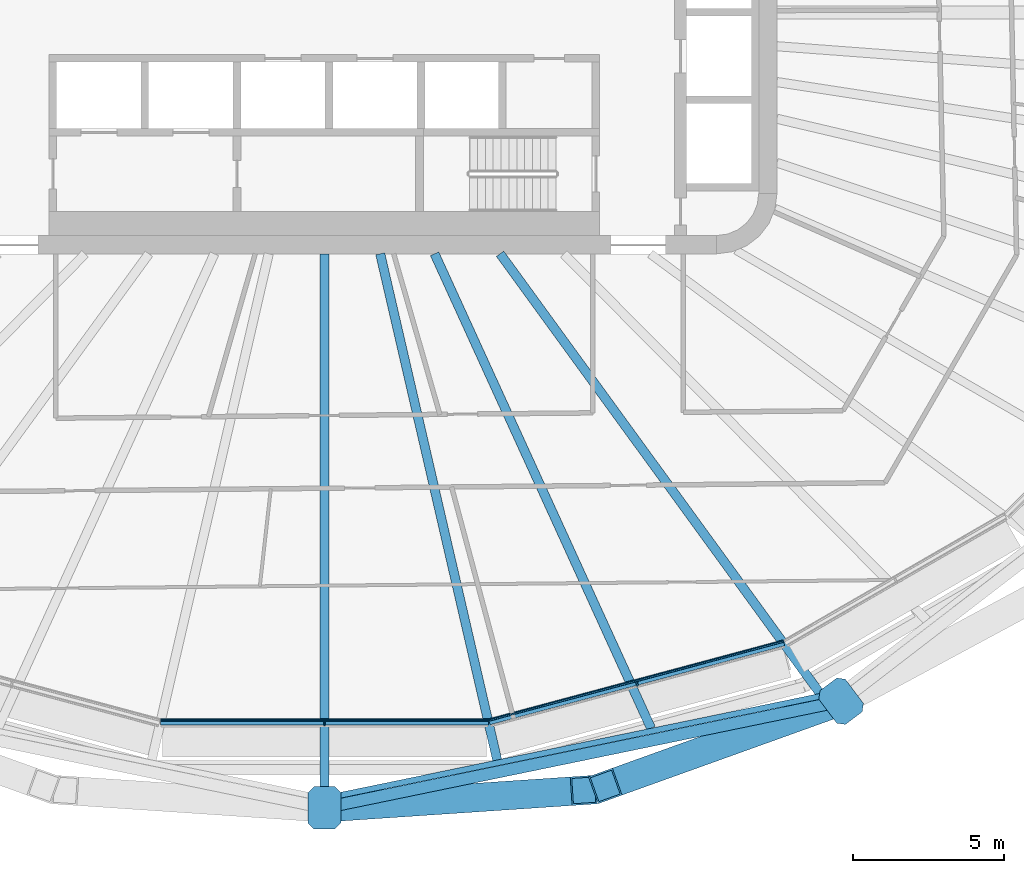
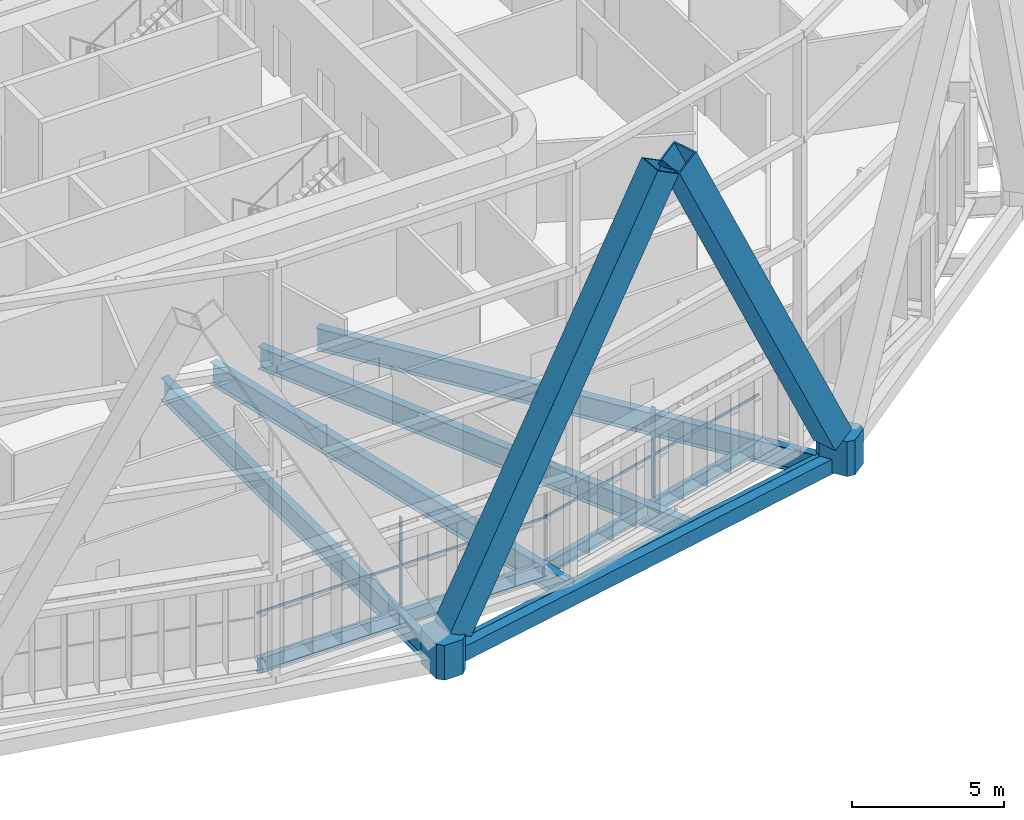
# One storey, part 4 of 25: 8 beams, 8 members, 2 elements without a shape of their own.
"""IFC4 building model written with IfcOpenShell, lengths in metres."""

from ifc_helpers import new_model, si_unit, direction, frame, origin, origin_2d, place, context, subcontext, project, spatial, polyline, rectangle, hollow_rectangle, i_section, outline, extrude, material, layer, layer_set, material_profile, profile_set, type_object, element, aggregate, save


model = new_model("IFC4")

# Units and contexts
model_context = context("Model", 3, precision=1e-05, world=origin(), true_north=direction((0.0, 1.0)))
body_context = subcontext(model_context, "Body", "Model", "MODEL_VIEW")
ifc_project = project(units=[si_unit("LENGTHUNIT", "METRE"), si_unit("AREAUNIT", "SQUARE_METRE"), si_unit("VOLUMEUNIT", "CUBIC_METRE"), si_unit("PLANEANGLEUNIT", "RADIAN"), si_unit("MASSUNIT", "GRAM", prefix="KILO")], contexts=[model_context])

# Site, building, storey
site_placement = place(None, origin())
site = spatial("IfcSite", under=ifc_project, at=site_placement, CompositionType="ELEMENT")
building_placement = place(site_placement, origin())
building = spatial("IfcBuilding", under=site, at=building_placement, Name="Sahrelin Media Tower", CompositionType="ELEMENT")
storey_placement = place(building_placement, frame((0.0, 0.0, 79.800048828125)))
storey = spatial("IfcBuildingStorey", under=building, at=storey_placement, Name="L14", CompositionType="ELEMENT", Elevation=79.800048828125)

# Members
ifc_material_1 = material(Name="Steel S460", Category="steel")
ifc_material_profile_1 = material_profile(ifc_material_1, hollow_rectangle(XDim=0.949951171875, YDim=0.949951171875, WallThickness=0.054931640625, at=origin_2d()), Name="Diagrid diagonal DG2")
ifc_profile_set_1 = profile_set([ifc_material_profile_1], Name="Steel S460")
member_type_1 = type_object("IfcMemberType", Name="Diagrid diagonal DG2", PredefinedType="BRACE", material=ifc_profile_set_1)
member_1_placement = place(storey_placement, frame((0.373779296875, -26.339111328125, 0.699951171875), z_axis=(0.470683324445, 0.031647275081, 0.881734460067), x_axis=(-0.067085404611, 0.997747236773, 0.0)))
element("IfcMember", 1, at=member_1_placement, inside=storey, type_object=member_type_1, Name="Diagrid diagonal D02-18", PredefinedType="BRACE", context=body_context, shape_type="SweptSolid", body=[
    extrude(hollow_rectangle(XDim=0.949951171875, YDim=0.949951171875, WallThickness=0.054931640625, at=origin_2d()), origin(), (0.0, 0.0, 1.0), 17.465576171875),
])
member_2_placement = place(storey_placement, frame((16.786376953125, -22.9541015625, 0.699951171875), z_axis=(-0.431548900161, -0.154946779536, 0.888682756827), x_axis=(0.337926169392, -0.941172621808, 0.0)))
element("IfcMember", 2, at=member_2_placement, inside=storey, type_object=member_type_1, Name="Diagrid diagonal D02-19", PredefinedType="BRACE", context=body_context, shape_type="SweptSolid", body=[
    extrude(hollow_rectangle(XDim=0.949951171875, YDim=0.949951171875, WallThickness=0.054931640625, at=origin_2d()), origin(), (0.0, 0.0, 1.0), 17.328857421875),
])
ifc_material_profile_2 = material_profile(ifc_material_1, outline(polyline([(0.5, -0.550048828125), (0.699951171875, -0.35009765625), (0.699951171875, 0.35009765625), (0.5, 0.550048828125), (-0.5, 0.550048828125), (-0.699951171875, 0.35009765625), (-0.699951171875, -0.35009765625), (-0.5, -0.550048828125), (0.5, -0.550048828125)])), Name="Diagrid node block 1400")
ifc_profile_set_2 = profile_set([ifc_material_profile_2], Name="Steel S460")
member_type_2 = type_object("IfcMemberType", Name="Diagrid node block 1400", PredefinedType="USERDEFINED", material=ifc_profile_set_2)
for number, where, z_axis, x_axis, name in (
    (3, (0.0, -26.364013671875, -0.699951171875), (0.0, 0.0, 1.0), (0.0, -1.0, 0.0), "Diagrid node N02-09"),
    (4, (17.126220703125, -22.83203125, -0.699951171875), (0.0, 0.0, 1.0), (0.600051693363, -0.799961227368, 0.0), "Diagrid node N02-10"),
):
    element("IfcMember", number, at=place(storey_placement, frame(where, z_axis=z_axis, x_axis=x_axis)), inside=storey, type_object=member_type_2, Name=name, ObjectType="NODE", PredefinedType="USERDEFINED", context=body_context, shape_type="SweptSolid", body=[
        extrude(outline(polyline([(0.5, -0.550048828125), (0.699951171875, -0.35009765625), (0.699951171875, 0.35009765625), (0.5, 0.550048828125), (-0.5, 0.550048828125), (-0.699951171875, 0.35009765625), (-0.699951171875, -0.35009765625), (-0.5, -0.550048828125), (0.5, -0.550048828125)])), origin(), (0.0, 0.0, 1.0), 1.39990234375),
    ])

# Beams
ifc_material_profile_3 = material_profile(ifc_material_1, hollow_rectangle(XDim=0.39990234375, YDim=0.60009765625, WallThickness=0.030029296875, at=origin_2d()), Name="Diagrid ring beam RB1")
ifc_profile_set_3 = profile_set([ifc_material_profile_3], Name="Steel S460")
beam_type_1 = type_object("IfcBeamType", Name="Diagrid ring beam RB1", PredefinedType="BEAM", material=ifc_profile_set_3)
beam_1_placement = place(storey_placement, frame((0.0, -26.364013671875, -0.449951171875), z_axis=(0.979389265781, 0.2019818459, 0.0), x_axis=(-0.2019818459, 0.979389265781, 0.0)))
element("IfcBeam", 5, at=beam_1_placement, inside=storey, type_object=beam_type_1, Name="Diagrid ring beam RB02-09", PredefinedType="BEAM", context=body_context, shape_type="SweptSolid", body=[
    extrude(hollow_rectangle(XDim=0.39990234375, YDim=0.60009765625, WallThickness=0.030029296875, at=origin_2d()), origin(), (0.0, 0.0, 1.0), 17.486572265625),
])
ifc_material_2 = material(Name="Steel S355", Category="steel")
ifc_material_profile_4 = material_profile(ifc_material_2, i_section(OverallWidth=0.208740234375, OverallDepth=0.5283203125, WebThickness=0.009521484375, FlangeThickness=0.01318359375, FilletRadius=0.0126953125, at=origin_2d()), Name="UB 533x210x82")
ifc_profile_set_4 = profile_set([ifc_material_profile_4], Name="Steel S355")
beam_type_2 = type_object("IfcBeamType", Name="Edge beam EB6", PredefinedType="BEAM", material=ifc_profile_set_4)
beam_2_placement = place(storey_placement, frame((15.23095703125, -20.892578125, -0.414306640625), z_axis=(-0.965927364405, -0.258813304707, 0.0), x_axis=(0.258813304707, -0.965927364405, 0.0)))
element("IfcBeam", 6, at=beam_2_placement, inside=storey, type_object=beam_type_2, Name="Edge beam L14-06", PredefinedType="BEAM", context=body_context, shape_type="SweptSolid", body=[
    extrude(i_section(OverallWidth=0.208740234375, OverallDepth=0.5283203125, WebThickness=0.009521484375, FlangeThickness=0.01318359375, FilletRadius=0.0126953125, at=origin_2d()), origin(), (0.0, 0.0, 1.0), 10.1142578125),
])
ifc_material_profile_5 = material_profile(ifc_material_2, i_section(OverallWidth=0.2275390625, OverallDepth=0.6025390625, WebThickness=0.010498046875, FlangeThickness=0.014892578125, FilletRadius=0.0126953125, at=origin_2d()), Name="UB 610x229x101")
ifc_profile_set_5 = profile_set([ifc_material_profile_5], Name="Steel S355")
beam_type_3 = type_object("IfcBeamType", Name="Edge beam EB7", PredefinedType="BEAM", material=ifc_profile_set_5)
beam_3_placement = place(storey_placement, frame((5.432861328125, -23.51416015625, -0.451416015625), z_axis=(-1.0, 0.0, 0.0), x_axis=(0.0, -1.0, 0.0)))
element("IfcBeam", 7, at=beam_3_placement, inside=storey, type_object=beam_type_3, Name="Edge beam L14-07", PredefinedType="BEAM", context=body_context, shape_type="SweptSolid", body=[
    extrude(i_section(OverallWidth=0.2275390625, OverallDepth=0.6025390625, WebThickness=0.010498046875, FlangeThickness=0.014892578125, FilletRadius=0.0126953125, at=origin_2d()), origin(), (0.0, 0.0, 1.0), 10.86572265625),
])

# Curtain wall, member
ifc_material_3 = material(Name="Champagne anodised aluminium 6063-T6", Category="aluminium")
ifc_layer = layer(ifc_material_3, 0.14990234375)
ifc_layer_set = layer_set([ifc_layer], Name="Tower ribbon curtain wall")
curtain_wall_type = type_object("IfcCurtainWallType", Name="Tower ribbon curtain wall", PredefinedType="NOTDEFINED", material=ifc_layer_set)
curtain_wall_1_placement = place(storey_placement, frame((0.0, -23.6640625, 0.0), z_axis=(0.0, 0.0, 1.0), x_axis=(1.0, 0.0, 0.0)))
curtain_wall_1 = element("IfcCurtainWall", 8, at=curtain_wall_1_placement, inside=storey, type_object=curtain_wall_type, Name="L14:CW:L14-18", PredefinedType="NOTDEFINED")
ifc_material_profile_6 = material_profile(ifc_material_3, rectangle(XDim=0.06005859375, YDim=0.14990234375, at=origin_2d()), Name="Mullion 60x150")
ifc_profile_set_6 = profile_set([ifc_material_profile_6], Name="Champagne anodised aluminium 6063-T6")
member_type_3 = type_object("IfcMemberType", Name="Mullion 60x150 CW1", PredefinedType="MULLION", material=ifc_profile_set_6)
member_3_placement = place(storey_placement, frame((0.0, -23.569091796875, 0.0), z_axis=(0.0, 0.0, 1.0), x_axis=(1.0, 0.0, 0.0)))
member_3 = element("IfcMember", 9, at=member_3_placement, type_object=member_type_3, Name="L14:CWM:L14-18", PredefinedType="MULLION", context=body_context, shape_type="SweptSolid", body=[
    extrude(rectangle(XDim=0.06005859375, YDim=0.14990234375, at=origin_2d()), origin(), (0.0, 0.0, 1.0), 3.6484375),
])

curtain_wall_2_placement = place(storey_placement, frame((10.385009765625, -22.346435546875, 0.0), z_axis=(0.0, 0.0, 1.0), x_axis=(1.0, 0.0, 0.0)))
curtain_wall_2 = element("IfcCurtainWall", 10, at=curtain_wall_2_placement, inside=storey, type_object=curtain_wall_type, Name="L14:CW:L14-19", PredefinedType="NOTDEFINED")
member_4_placement = place(storey_placement, frame((10.360595703125, -22.254638671875, 0.0), z_axis=(0.0, 0.0, 1.0), x_axis=(0.965924922834, 0.258822416818, 0.0)))
member_4 = element("IfcMember", 11, at=member_4_placement, type_object=member_type_3, Name="L14:CWM:L14-19", PredefinedType="MULLION", context=body_context, shape_type="SweptSolid", body=[
    extrude(rectangle(XDim=0.06005859375, YDim=0.14990234375, at=origin_2d()), origin(), (0.0, 0.0, 1.0), 3.6484375),
])

# Beams
ifc_material_profile_7 = material_profile(ifc_material_2, i_section(OverallWidth=0.30322265625, OverallDepth=0.903076171875, WebThickness=0.01513671875, FlangeThickness=0.020263671875, FilletRadius=0.01904296875, at=origin_2d()), Name="UB 914x305x201")
ifc_profile_set_7 = profile_set([ifc_material_profile_7], Name="Steel S355")
beam_type_4 = type_object("IfcBeamType", Name="Radial primary beam PB11", PredefinedType="BEAM", material=ifc_profile_set_7)
beam_4_placement = place(storey_placement, frame((1.848388671875, -8.0, -0.6015625), z_axis=(0.225091418357, -0.97433764855, 0.0), x_axis=(0.97433764855, 0.225091418357, 0.0)))
element("IfcBeam", 12, at=beam_4_placement, inside=storey, type_object=beam_type_4, Name="Radial beam L14-19", PredefinedType="BEAM", context=body_context, shape_type="SweptSolid", body=[
    extrude(i_section(OverallWidth=0.30322265625, OverallDepth=0.903076171875, WebThickness=0.01513671875, FlangeThickness=0.020263671875, FilletRadius=0.01904296875, at=origin_2d()), origin(), (0.0, 0.0, 1.0), 17.2216796875),
])
beam_5_placement = place(storey_placement, frame((5.82177734375, -8.0, -0.6015625), z_axis=(0.588409281168, -0.808563242941, 0.0), x_axis=(0.808563242941, 0.588409281168, 0.0)))
element("IfcBeam", 13, at=beam_5_placement, inside=storey, type_object=beam_type_4, Name="Radial beam L14-20", PredefinedType="BEAM", context=body_context, shape_type="SweptSolid", body=[
    extrude(i_section(OverallWidth=0.30322265625, OverallDepth=0.903076171875, WebThickness=0.01513671875, FlangeThickness=0.020263671875, FilletRadius=0.01904296875, at=origin_2d()), origin(), (0.0, 0.0, 1.0), 18.022705078125),
])
ifc_material_profile_8 = material_profile(ifc_material_2, i_section(OverallWidth=0.30322265625, OverallDepth=0.903076171875, WebThickness=0.01513671875, FlangeThickness=0.020263671875, FilletRadius=0.01904296875, at=origin_2d()), Name="UB 914x305x201")
ifc_profile_set_8 = profile_set([ifc_material_profile_8], Name="Steel S355")
beam_type_5 = type_object("IfcBeamType", Name="Radial secondary beam SB11", PredefinedType="BEAM", material=ifc_profile_set_8)
beam_6_placement = place(storey_placement, frame((0.0, -8.0, -0.6015625), z_axis=(0.0, -1.0, 0.0), x_axis=(1.0, 0.0, 0.0)))
element("IfcBeam", 14, at=beam_6_placement, inside=storey, type_object=beam_type_5, Name="Secondary beam L14-18", PredefinedType="BEAM", context=body_context, shape_type="SweptSolid", body=[
    extrude(i_section(OverallWidth=0.30322265625, OverallDepth=0.903076171875, WebThickness=0.01513671875, FlangeThickness=0.020263671875, FilletRadius=0.01904296875, at=origin_2d()), origin(), (0.0, 0.0, 1.0), 17.96044921875),
])
beam_7_placement = place(storey_placement, frame((3.650390625, -8.0, -0.6015625), z_axis=(0.415103826576, -0.909774045113, 0.0), x_axis=(0.909774045113, 0.415103826576, 0.0)))
element("IfcBeam", 15, at=beam_7_placement, inside=storey, type_object=beam_type_5, Name="Secondary beam L14-19", PredefinedType="BEAM", context=body_context, shape_type="SweptSolid", body=[
    extrude(i_section(OverallWidth=0.30322265625, OverallDepth=0.903076171875, WebThickness=0.01513671875, FlangeThickness=0.020263671875, FilletRadius=0.01904296875, at=origin_2d()), origin(), (0.0, 0.0, 1.0), 17.287353515625),
])
ifc_material_profile_9 = material_profile(ifc_material_2, i_section(OverallWidth=0.1904296875, OverallDepth=0.45703125, WebThickness=0.009033203125, FlangeThickness=0.014404296875, FilletRadius=0.01025390625, at=origin_2d()), Name="UB 457x191x74")
ifc_profile_set_9 = profile_set([ifc_material_profile_9], Name="Steel S355")
beam_type_6 = type_object("IfcBeamType", Name="Tie chord TC5", PredefinedType="BEAM", material=ifc_profile_set_9)
beam_8_placement = place(storey_placement, frame((16.998046875, -22.552001953125, -0.378662109375), z_axis=(-0.979388508786, -0.201985516455, 0.0), x_axis=(0.201985516455, -0.979388508786, 0.0)))
element("IfcBeam", 16, at=beam_8_placement, inside=storey, type_object=beam_type_6, Name="Tie chord L14-03", PredefinedType="BEAM", context=body_context, shape_type="SweptSolid", body=[
    extrude(i_section(OverallWidth=0.1904296875, OverallDepth=0.45703125, WebThickness=0.009033203125, FlangeThickness=0.014404296875, FilletRadius=0.01025390625, at=origin_2d()), origin(), (0.0, 0.0, 1.0), 17.355712890625),
])

# Member
ifc_material_profile_10 = material_profile(ifc_material_3, rectangle(XDim=0.050048828125, YDim=0.10009765625, at=origin_2d()), Name="Transom 50x100")
ifc_profile_set_10 = profile_set([ifc_material_profile_10], Name="Champagne anodised aluminium 6063-T6")
member_type_4 = type_object("IfcMemberType", Name="Transom 50x100 CW1", PredefinedType="USERDEFINED", material=ifc_profile_set_10)
member_5_placement = place(storey_placement, frame((-5.417236328125, -23.468994140625, 1.599853515625), z_axis=(1.0, 0.0, 0.0), x_axis=(0.0, 1.0, 0.0)))
member_5 = element("IfcMember", 17, at=member_5_placement, type_object=member_type_4, Name="L14:CWT:L14-18", ObjectType="TRANSOM", PredefinedType="USERDEFINED", context=body_context, shape_type="SweptSolid", body=[
    extrude(rectangle(XDim=0.050048828125, YDim=0.10009765625, at=origin_2d()), origin(), (0.0, 0.0, 1.0), 10.83447265625),
])

aggregate(curtain_wall_1, [member_3, member_5])

member_6_placement = place(storey_placement, frame((5.465087890625, -23.462890625, 1.599853515625), z_axis=(0.965924380906, 0.258824439285, 0.0), x_axis=(-0.258824439285, 0.965924380906, 0.0)))
member_6 = element("IfcMember", 18, at=member_6_placement, type_object=member_type_4, Name="L14:CWT:L14-19", ObjectType="TRANSOM", PredefinedType="USERDEFINED", context=body_context, shape_type="SweptSolid", body=[
    extrude(rectangle(XDim=0.050048828125, YDim=0.10009765625, at=origin_2d()), origin(), (0.0, 0.0, 1.0), 10.08251953125),
])

aggregate(curtain_wall_2, [member_4, member_6])

save(model, "model.ifc")
